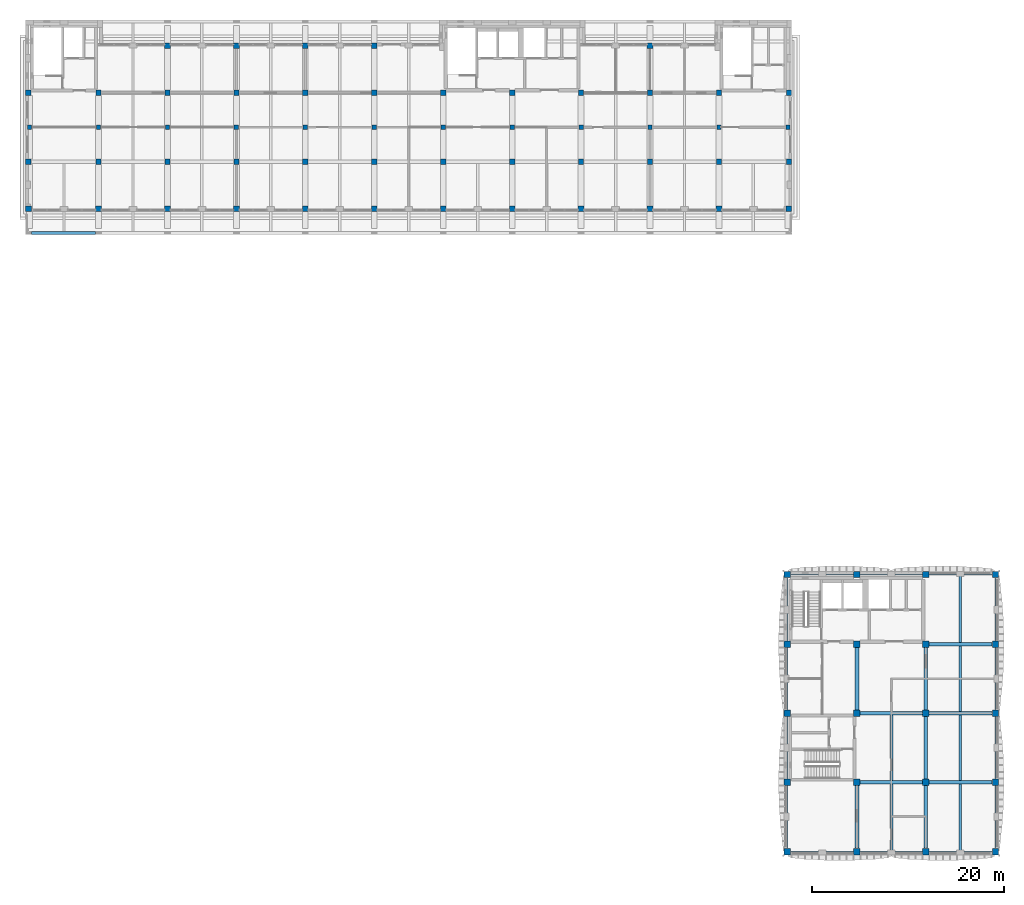
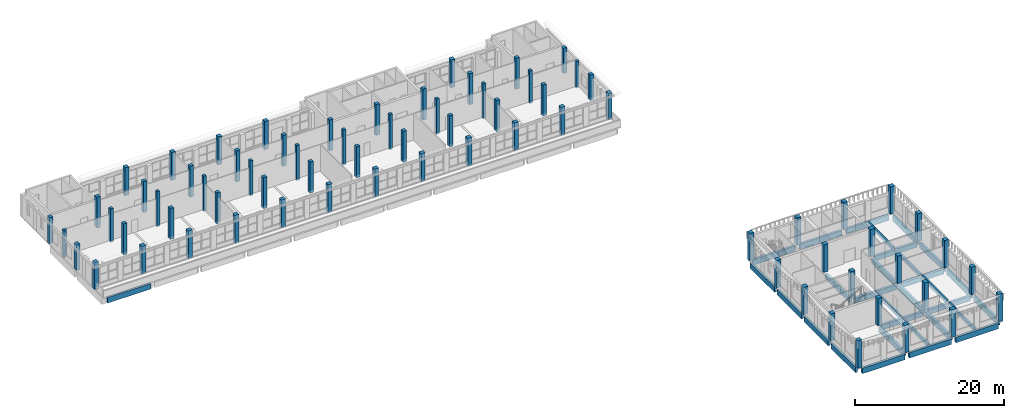
# One storey, part 1 of 30: 73 columns, 31 beams.
"""IFC4 building model written with IfcOpenShell, lengths in metres."""

import ifcopenshell
import ifcopenshell.guid

model = None  # the IFC model being written
_history = None  # IfcOwnerHistory: only IFC2X3 demands one
_inside = {}  # id of a spatial element -> (the spatial element, [elements in it])
_under = {}  # id of a project, library or spatial element -> (it, [spatial elements below it])
_declared = {}  # id of a project -> (the project, [libraries it declares])
_typed = {}  # id of a type object -> (the type object, [elements of that type])
_made_of = {}  # id of a material, layer set ... -> (it, [elements and type objects made of it])


def new_model(schema):
    """Start an empty IFC model of exactly this schema.

    Asked for "IFC4X3", IfcOpenShell would pick the latest addendum, in which some entities
    have other attributes; the version numbers below select the first issue.
    IFC2X3 requires an IfcOwnerHistory on every rooted entity: one is made here for all.
    """
    global model, _history
    if schema == "IFC4X3":
        model = ifcopenshell.file(schema_version=(4, 3, 0, 0))
    else:
        model = ifcopenshell.file(schema=schema)
    _inside.clear()
    _under.clear()
    _declared.clear()
    _typed.clear()
    _made_of.clear()
    _history = None
    if model.schema == "IFC2X3":
        org = make("IfcOrganization", Name="unknown")
        user = make(
            "IfcPersonAndOrganization",
            ThePerson=make("IfcPerson", FamilyName="unknown"),
            TheOrganization=org,
        )
        app = make(
            "IfcApplication",
            ApplicationDeveloper=org,
            Version="unknown",
            ApplicationFullName="unknown",
            ApplicationIdentifier="unknown",
        )
        _history = make(
            "IfcOwnerHistory",
            OwningUser=user,
            OwningApplication=app,
            ChangeAction="ADDED",
            CreationDate=0,
        )
    return model


def make(cls, **values):
    """One entity of the class cls with the attributes given. An attribute that is None is left unset."""
    return model.create_entity(
        cls, **{name: value for name, value in values.items() if value is not None}
    )


def rooted(cls, **values):
    """An entity with a GlobalId (a new one), such as an element, a storey or a relation."""
    return make(cls, GlobalId=ifcopenshell.guid.new(), OwnerHistory=_history, **values)


def si_unit(unit_type, name, prefix=None):
    """IfcSIUnit, for example si_unit("LENGTHUNIT", "METRE", prefix="MILLI")."""
    return make("IfcSIUnit", UnitType=unit_type, Prefix=prefix, Name=name)


def assignment(units):
    """IfcUnitAssignment: the units of a project."""
    return None if units is None else make("IfcUnitAssignment", Units=units)


def point(xyz):
    """IfcCartesianPoint."""
    return None if xyz is None else make("IfcCartesianPoint", Coordinates=xyz)


def direction(xyz):
    """IfcDirection."""
    return None if xyz is None else make("IfcDirection", DirectionRatios=xyz)


def frame(location, z_axis=None, x_axis=None):
    """IfcAxis2Placement3D, a coordinate frame: its origin and axes. An axis left out is left unset."""
    return make(
        "IfcAxis2Placement3D",
        Location=point(location),
        Axis=direction(z_axis),
        RefDirection=direction(x_axis),
    )


def frame_2d(location, x_axis=None):
    """IfcAxis2Placement2D, a coordinate frame in the plane: its origin and x axis."""
    return make(
        "IfcAxis2Placement2D", Location=point(location), RefDirection=direction(x_axis)
    )


def origin():
    """The frame at (0, 0, 0) with its axes left unset."""
    return frame((0.0, 0.0, 0.0))


def origin_2d():
    """The frame at (0, 0) in the plane with its x axis left unset."""
    return frame_2d((0.0, 0.0))


def place(relative_to, where):
    """IfcLocalPlacement: puts the frame where relative to a parent placement (None: the world)."""
    return make(
        "IfcLocalPlacement", PlacementRelTo=relative_to, RelativePlacement=where
    )


def context(
    kind, dimensions, precision=None, world=None, true_north=None, identifier=None
):
    """IfcGeometricRepresentationContext, for example the 3D "Model" context."""
    return make(
        "IfcGeometricRepresentationContext",
        ContextIdentifier=identifier,
        ContextType=kind,
        CoordinateSpaceDimension=dimensions,
        Precision=precision,
        WorldCoordinateSystem=world,
        TrueNorth=true_north,
    )


def subcontext(parent, identifier, kind, view, scale=None):
    """IfcGeometricRepresentationSubContext, for example "Body" below "Model"."""
    return make(
        "IfcGeometricRepresentationSubContext",
        ContextIdentifier=identifier,
        ContextType=kind,
        ParentContext=parent,
        TargetScale=scale,
        TargetView=view,
    )


def project(units=None, contexts=None):
    """IfcProject with its units and contexts."""
    return rooted(
        "IfcProject",
        Name="project",
        RepresentationContexts=contexts,
        UnitsInContext=assignment(units),
    )


def spatial(cls, under=None, at=None, **own):
    """A site, building, storey or space (cls), placed at a placement, below another one or the project."""
    s = rooted(cls, ObjectPlacement=at, **own)
    if under is not None:
        _under.setdefault(under.id(), (under, []))[1].append(s)
    return s


def profile(cls, at=None, kind="AREA", **sizes):
    """A parametric profile (cls). Its sizes go by their IFC names, for example OverallWidth=200.0."""
    return make(cls, ProfileType=kind, Position=at, **sizes)


def rectangle(**sizes):
    """IfcRectangleProfileDef."""
    return profile("IfcRectangleProfileDef", **sizes)


def extrude(swept, where, along, depth):
    """IfcExtrudedAreaSolid: the profile swept, set in the frame where, extruded along a direction by depth."""
    return make(
        "IfcExtrudedAreaSolid",
        SweptArea=swept,
        Position=where,
        ExtrudedDirection=direction(along),
        Depth=depth,
    )


def shape(context_of_items, identifier, shape_type, items):
    """IfcShapeRepresentation: the items that make up one representation, for example the "Body"."""
    return make(
        "IfcShapeRepresentation",
        ContextOfItems=context_of_items,
        RepresentationIdentifier=identifier,
        RepresentationType=shape_type,
        Items=items,
    )


def material(Name=None, Category=None):
    """IfcMaterial."""
    return make("IfcMaterial", Name=Name, Category=Category)


def material_profile(
    of_material, cross_section, Name=None, Category=None, Priority=None
):
    """IfcMaterialProfile: a cross section and its material."""
    return make(
        "IfcMaterialProfile",
        Name=Name,
        Material=of_material,
        Profile=cross_section,
        Priority=Priority,
        Category=Category,
    )


def profile_set(profiles, Name=None, composite=None):
    """IfcMaterialProfileSet."""
    return make(
        "IfcMaterialProfileSet",
        Name=Name,
        MaterialProfiles=profiles,
        CompositeProfile=composite,
    )


def made_of(thing, what):
    """Note that an element or type object is made of a material, layer set ...; save() writes the relation."""
    if what is not None:
        _made_of.setdefault(what.id(), (what, []))[1].append(thing)
    return thing


def type_object(cls, material=None, **own):
    """A type object (cls), such as IfcWallType, which elements share."""
    return made_of(rooted(cls, **own), material)


def element(
    cls,
    number,
    at=None,
    inside=None,
    cuts=None,
    type_object=None,
    material=None,
    context=None,
    identifier="Body",
    shape_type=None,
    held_by="IfcProductDefinitionShape",
    body=None,
    shapes=None,
    **own,
):
    """One element of the class cls, such as IfcWall. Its Tag is "e" and its number.

    at: its placement. inside: the storey or other place that contains it. cuts: it is an
    opening in that element (IfcRelVoidsElement). A single representation is given by context,
    identifier, shape_type and body (its items); several are given by shapes. held_by: the class
    of the entity that holds the representations. save() writes the other relations.
    """
    e = rooted(cls, Tag="e%d" % number, ObjectPlacement=at, **own)
    if body is not None:
        shapes = [shape(context, identifier, shape_type, body)]
    if shapes is not None:
        e.Representation = make(held_by, Representations=shapes)
    if inside is not None:
        _inside.setdefault(inside.id(), (inside, []))[1].append(e)
    if cuts is not None:
        rooted(
            "IfcRelVoidsElement", RelatingBuildingElement=cuts, RelatedOpeningElement=e
        )
    if type_object is not None:
        _typed.setdefault(type_object.id(), (type_object, []))[1].append(e)
    return made_of(e, material)


def aggregate(whole, parts):
    """IfcRelAggregates: a whole, such as a stair, and the parts it consists of."""
    return rooted("IfcRelAggregates", RelatingObject=whole, RelatedObjects=parts)


def save(model, path):
    """Write the relations noted so far, then the file.

    IfcRelAggregates (storeys below a building ...), IfcRelContainedInSpatialStructure (elements
    in a storey), IfcRelDefinesByType, IfcRelAssociatesMaterial and IfcRelDeclares: one each for
    every whole, place, type object, material and project.
    """
    for whole, parts in _under.values():
        aggregate(whole, parts)
    for where, things in _inside.values():
        rooted(
            "IfcRelContainedInSpatialStructure",
            RelatedElements=things,
            RelatingStructure=where,
        )
    for kind, things in _typed.values():
        rooted("IfcRelDefinesByType", RelatedObjects=things, RelatingType=kind)
    for what, things in _made_of.values():
        rooted("IfcRelAssociatesMaterial", RelatedObjects=things, RelatingMaterial=what)
    for by, libraries in _declared.values():
        rooted("IfcRelDeclares", RelatingContext=by, RelatedDefinitions=libraries)
    model.write(path)


model = new_model("IFC4")

# Units and contexts
model_context = context("Model", 3, precision=1e-05, world=origin(), true_north=direction((0.0, 1.0)))
body_context = subcontext(model_context, "Body", "Model", "MODEL_VIEW")
ifc_project = project(units=[si_unit("LENGTHUNIT", "METRE"), si_unit("AREAUNIT", "SQUARE_METRE"), si_unit("VOLUMEUNIT", "CUBIC_METRE"), si_unit("PLANEANGLEUNIT", "RADIAN"), si_unit("MASSUNIT", "GRAM", prefix="KILO")], contexts=[model_context])

# Site, building, storey
site_placement = place(None, origin())
site = spatial("IfcSite", under=ifc_project, at=site_placement, CompositionType="ELEMENT")
building_placement = place(site_placement, origin())
building = spatial("IfcBuilding", under=site, at=building_placement, Name="Ussher Court Research Institute", CompositionType="ELEMENT")
storey_placement = place(building_placement, frame((0.0, 0.0, 27.89990234375)))
storey = spatial("IfcBuildingStorey", under=building, at=storey_placement, Name="L06", CompositionType="ELEMENT", Elevation=27.89990234375)

# Columns
ifc_material_1 = material(Name="Concrete C35/45", Category="concrete")
ifc_material_profile_1 = material_profile(ifc_material_1, rectangle(XDim=0.449951171875, YDim=0.449951171875, at=origin_2d()), Name="RC 450x450")
ifc_profile_set_1 = profile_set([ifc_material_profile_1], Name="Concrete C35/45")
column_type_1 = type_object("IfcColumnType", Name="RC 450x450 column", PredefinedType="COLUMN", material=ifc_profile_set_1)
column_1_placement = place(storey_placement, frame((3.0, 79.60009765625, -0.199951171875), z_axis=(0.0, 0.0, 1.0), x_axis=(1.0, 0.0, 0.0)))
element("IfcColumn", 1, at=column_1_placement, inside=storey, type_object=column_type_1, Name="C45 V5 L06-01", PredefinedType="COLUMN", context=body_context, shape_type="SweptSolid", body=[
    extrude(rectangle(XDim=0.449951171875, YDim=0.449951171875, at=origin_2d()), origin(), (0.0, 0.0, 1.0), 4.464599609375),
])
column_2_placement = place(storey_placement, frame((10.199951171875, 79.60009765625, -0.199951171875), z_axis=(0.0, 0.0, 1.0), x_axis=(1.0, 0.0, 0.0)))
element("IfcColumn", 2, at=column_2_placement, inside=storey, type_object=column_type_1, Name="C45 V5 L06-02", PredefinedType="COLUMN", context=body_context, shape_type="SweptSolid", body=[
    extrude(rectangle(XDim=0.449951171875, YDim=0.449951171875, at=origin_2d()), origin(), (0.0, 0.0, 1.0), 5.4765625),
])
for number, where, z_axis, x_axis, name in (
    (3, (17.39990234375, 79.60009765625, -0.199951171875), (0.0, 0.0, 1.0), (1.0, 0.0, 0.0), "C45 V5 L06-03"),
    (4, (24.60009765625, 79.60009765625, -0.199951171875), (0.0, 0.0, 1.0), (1.0, 0.0, 0.0), "C45 V5 L06-04"),
    (5, (31.800048828125, 79.60009765625, -0.199951171875), (0.0, 0.0, 1.0), (1.0, 0.0, 0.0), "C45 V5 L06-05"),
    (6, (39.0, 79.60009765625, -0.199951171875), (0.0, 0.0, 1.0), (1.0, 0.0, 0.0), "C45 V5 L06-06"),
    (7, (46.199951171875, 79.60009765625, -0.199951171875), (0.0, 0.0, 1.0), (1.0, 0.0, 0.0), "C45 V5 L06-07"),
    (8, (53.39990234375, 79.60009765625, -0.199951171875), (0.0, 0.0, 1.0), (1.0, 0.0, 0.0), "C45 V5 L06-08"),
    (9, (60.60009765625, 79.60009765625, -0.199951171875), (0.0, 0.0, 1.0), (1.0, 0.0, 0.0), "C45 V5 L06-09"),
    (10, (67.800048828125, 79.60009765625, -0.199951171875), (0.0, 0.0, 1.0), (1.0, 0.0, 0.0), "C45 V5 L06-10"),
):
    element("IfcColumn", number, at=place(storey_placement, frame(where, z_axis=z_axis, x_axis=x_axis)), inside=storey, type_object=column_type_1, Name=name, PredefinedType="COLUMN", context=body_context, shape_type="SweptSolid", body=[
        extrude(rectangle(XDim=0.449951171875, YDim=0.449951171875, at=origin_2d()), origin(), (0.0, 0.0, 1.0), 5.771728515625),
    ])
column_3_placement = place(storey_placement, frame((75.0, 79.60009765625, -0.199951171875), z_axis=(0.0, 0.0, 1.0), x_axis=(1.0, 0.0, 0.0)))
element("IfcColumn", 11, at=column_3_placement, inside=storey, type_object=column_type_1, Name="C45 V5 L06-11", PredefinedType="COLUMN", context=body_context, shape_type="SweptSolid", body=[
    extrude(rectangle(XDim=0.449951171875, YDim=0.449951171875, at=origin_2d()), origin(), (0.0, 0.0, 1.0), 5.349853515625),
])
column_4_placement = place(storey_placement, frame((82.199951171875, 79.60009765625, -0.199951171875), z_axis=(0.0, 0.0, 1.0), x_axis=(1.0, 0.0, 0.0)))
element("IfcColumn", 12, at=column_4_placement, inside=storey, type_object=column_type_1, Name="C45 V5 L06-12", PredefinedType="COLUMN", context=body_context, shape_type="SweptSolid", body=[
    extrude(rectangle(XDim=0.449951171875, YDim=0.449951171875, at=origin_2d()), origin(), (0.0, 0.0, 1.0), 4.338134765625),
])
ifc_material_2 = material(Name="Concrete C35/45", Category="concrete")
ifc_material_profile_2 = material_profile(ifc_material_2, rectangle(XDim=0.550048828125, YDim=0.550048828125, at=origin_2d()), Name="RC 550x550")
ifc_profile_set_2 = profile_set([ifc_material_profile_2], Name="Concrete C35/45")
column_type_2 = type_object("IfcColumnType", Name="RC 550x550 column", PredefinedType="COLUMN", material=ifc_profile_set_2)
for number, where, z_axis, x_axis, name in (
    (13, (2.875, 76.0, 0.0), (0.0, 0.0, 1.0), (1.0, 0.0, 0.0), "C55 V5 L06-01"),
    (14, (2.875, 83.199951171875, 0.0), (0.0, 0.0, 1.0), (1.0, 0.0, 0.0), "C55 V5 L06-02"),
):
    element("IfcColumn", number, at=place(storey_placement, frame(where, z_axis=z_axis, x_axis=x_axis)), inside=storey, type_object=column_type_2, Name=name, PredefinedType="COLUMN", context=body_context, shape_type="SweptSolid", body=[
        extrude(rectangle(XDim=0.550048828125, YDim=0.550048828125, at=origin_2d()), origin(), (0.0, 0.0, 1.0), 4.2646484375),
    ])
for number, where, z_axis, x_axis, name in (
    (15, (10.199951171875, 76.0, 0.0), (0.0, 0.0, 1.0), (1.0, 0.0, 0.0), "C55 V5 L06-03"),
    (16, (10.199951171875, 83.199951171875, 0.0), (0.0, 0.0, 1.0), (1.0, 0.0, 0.0), "C55 V5 L06-04"),
    (17, (17.39990234375, 76.0, 0.0), (0.0, 0.0, 1.0), (1.0, 0.0, 0.0), "C55 V5 L06-05"),
    (18, (17.39990234375, 83.199951171875, 0.0), (0.0, 0.0, 1.0), (1.0, 0.0, 0.0), "C55 V5 L06-06"),
    (19, (24.60009765625, 76.0, 0.0), (0.0, 0.0, 1.0), (1.0, 0.0, 0.0), "C55 V5 L06-07"),
    (20, (24.60009765625, 83.199951171875, 0.0), (0.0, 0.0, 1.0), (1.0, 0.0, 0.0), "C55 V5 L06-08"),
    (21, (31.800048828125, 76.0, 0.0), (0.0, 0.0, 1.0), (1.0, 0.0, 0.0), "C55 V5 L06-09"),
    (22, (31.800048828125, 83.199951171875, 0.0), (0.0, 0.0, 1.0), (1.0, 0.0, 0.0), "C55 V5 L06-10"),
    (23, (39.0, 76.0, 0.0), (0.0, 0.0, 1.0), (1.0, 0.0, 0.0), "C55 V5 L06-11"),
    (24, (39.0, 83.199951171875, 0.0), (0.0, 0.0, 1.0), (1.0, 0.0, 0.0), "C55 V5 L06-12"),
    (25, (46.199951171875, 76.0, 0.0), (0.0, 0.0, 1.0), (1.0, 0.0, 0.0), "C55 V5 L06-13"),
    (26, (46.199951171875, 83.199951171875, 0.0), (0.0, 0.0, 1.0), (1.0, 0.0, 0.0), "C55 V5 L06-14"),
    (27, (53.39990234375, 76.0, 0.0), (0.0, 0.0, 1.0), (1.0, 0.0, 0.0), "C55 V5 L06-15"),
    (28, (53.39990234375, 83.199951171875, 0.0), (0.0, 0.0, 1.0), (1.0, 0.0, 0.0), "C55 V5 L06-16"),
    (29, (60.60009765625, 76.0, 0.0), (0.0, 0.0, 1.0), (1.0, 0.0, 0.0), "C55 V5 L06-17"),
    (30, (60.60009765625, 83.199951171875, 0.0), (0.0, 0.0, 1.0), (1.0, 0.0, 0.0), "C55 V5 L06-18"),
    (31, (67.800048828125, 76.0, 0.0), (0.0, 0.0, 1.0), (1.0, 0.0, 0.0), "C55 V5 L06-19"),
    (32, (67.800048828125, 83.199951171875, 0.0), (0.0, 0.0, 1.0), (1.0, 0.0, 0.0), "C55 V5 L06-20"),
    (33, (75.0, 76.0, 0.0), (0.0, 0.0, 1.0), (1.0, 0.0, 0.0), "C55 V5 L06-21"),
    (34, (75.0, 83.199951171875, 0.0), (0.0, 0.0, 1.0), (1.0, 0.0, 0.0), "C55 V5 L06-22"),
):
    element("IfcColumn", number, at=place(storey_placement, frame(where, z_axis=z_axis, x_axis=x_axis)), inside=storey, type_object=column_type_2, Name=name, PredefinedType="COLUMN", context=body_context, shape_type="SweptSolid", body=[
        extrude(rectangle(XDim=0.550048828125, YDim=0.550048828125, at=origin_2d()), origin(), (0.0, 0.0, 1.0), 5.06298828125),
    ])
for number, where, z_axis, x_axis, name in (
    (35, (82.324951171875, 76.0, 0.0), (0.0, 0.0, 1.0), (1.0, 0.0, 0.0), "C55 V5 L06-23"),
    (36, (82.324951171875, 83.199951171875, 0.0), (0.0, 0.0, 1.0), (1.0, 0.0, 0.0), "C55 V5 L06-24"),
):
    element("IfcColumn", number, at=place(storey_placement, frame(where, z_axis=z_axis, x_axis=x_axis)), inside=storey, type_object=column_type_2, Name=name, PredefinedType="COLUMN", context=body_context, shape_type="SweptSolid", body=[
        extrude(rectangle(XDim=0.550048828125, YDim=0.550048828125, at=origin_2d()), origin(), (0.0, 0.0, 1.0), 4.13818359375),
    ])
ifc_material_3 = material(Name="Concrete C35/45", Category="concrete")
ifc_material_profile_3 = material_profile(ifc_material_3, rectangle(XDim=0.60009765625, YDim=0.60009765625, at=origin_2d()), Name="RC 600x600")
ifc_profile_set_3 = profile_set([ifc_material_profile_3], Name="Concrete C35/45")
column_type_3 = type_object("IfcColumnType", Name="RC 600x600 column", PredefinedType="COLUMN", material=ifc_profile_set_3)
column_5_placement = place(storey_placement, frame((2.89990234375, 71.10009765625, -0.199951171875), z_axis=(0.0, 0.0, 1.0), x_axis=(1.0, 0.0, 0.0)))
element("IfcColumn", 37, at=column_5_placement, inside=storey, type_object=column_type_3, Name="C6 V5 L06-01", PredefinedType="COLUMN", context=body_context, shape_type="SweptSolid", body=[
    extrude(rectangle(XDim=0.60009765625, YDim=0.60009765625, at=origin_2d()), origin(), (0.0, 0.0, 1.0), 4.464599609375),
])
for number, where, z_axis, x_axis, name in (
    (38, (10.199951171875, 71.10009765625, -0.199951171875), (0.0, 0.0, 1.0), (1.0, 0.0, 0.0), "C6 V5 L06-02"),
    (39, (17.39990234375, 71.10009765625, -0.199951171875), (0.0, 0.0, 1.0), (1.0, 0.0, 0.0), "C6 V5 L06-03"),
    (40, (24.60009765625, 71.10009765625, -0.199951171875), (0.0, 0.0, 1.0), (1.0, 0.0, 0.0), "C6 V5 L06-04"),
    (41, (31.800048828125, 71.10009765625, -0.199951171875), (0.0, 0.0, 1.0), (1.0, 0.0, 0.0), "C6 V5 L06-05"),
    (42, (39.0, 71.10009765625, -0.199951171875), (0.0, 0.0, 1.0), (1.0, 0.0, 0.0), "C6 V5 L06-06"),
    (43, (46.199951171875, 71.10009765625, -0.199951171875), (0.0, 0.0, 1.0), (1.0, 0.0, 0.0), "C6 V5 L06-07"),
    (44, (53.39990234375, 71.10009765625, -0.199951171875), (0.0, 0.0, 1.0), (1.0, 0.0, 0.0), "C6 V5 L06-08"),
    (45, (60.60009765625, 71.10009765625, -0.199951171875), (0.0, 0.0, 1.0), (1.0, 0.0, 0.0), "C6 V5 L06-09"),
    (46, (67.800048828125, 71.10009765625, -0.199951171875), (0.0, 0.0, 1.0), (1.0, 0.0, 0.0), "C6 V5 L06-10"),
    (47, (75.0, 71.10009765625, -0.199951171875), (0.0, 0.0, 1.0), (1.0, 0.0, 0.0), "C6 V5 L06-11"),
):
    element("IfcColumn", number, at=place(storey_placement, frame(where, z_axis=z_axis, x_axis=x_axis)), inside=storey, type_object=column_type_3, Name=name, PredefinedType="COLUMN", context=body_context, shape_type="SweptSolid", body=[
        extrude(rectangle(XDim=0.60009765625, YDim=0.60009765625, at=origin_2d()), origin(), (0.0, 0.0, 1.0), 4.58837890625),
    ])
column_6_placement = place(storey_placement, frame((82.300048828125, 71.10009765625, -0.199951171875), z_axis=(0.0, 0.0, 1.0), x_axis=(1.0, 0.0, 0.0)))
element("IfcColumn", 48, at=column_6_placement, inside=storey, type_object=column_type_3, Name="C6 V5 L06-12", PredefinedType="COLUMN", context=body_context, shape_type="SweptSolid", body=[
    extrude(rectangle(XDim=0.60009765625, YDim=0.60009765625, at=origin_2d()), origin(), (0.0, 0.0, 1.0), 4.338134765625),
])
for number, where, z_axis, x_axis, name in (
    (49, (17.39990234375, 88.10009765625, -0.199951171875), (0.0, 0.0, 1.0), (1.0, 0.0, 0.0), "C6 V5 L06-13"),
    (50, (24.60009765625, 88.10009765625, -0.199951171875), (0.0, 0.0, 1.0), (1.0, 0.0, 0.0), "C6 V5 L06-14"),
    (51, (31.800048828125, 88.10009765625, -0.199951171875), (0.0, 0.0, 1.0), (1.0, 0.0, 0.0), "C6 V5 L06-15"),
    (52, (39.0, 88.10009765625, -0.199951171875), (0.0, 0.0, 1.0), (1.0, 0.0, 0.0), "C6 V5 L06-16"),
    (53, (67.800048828125, 88.10009765625, -0.199951171875), (0.0, 0.0, 1.0), (1.0, 0.0, 0.0), "C6 V5 L06-17"),
):
    element("IfcColumn", number, at=place(storey_placement, frame(where, z_axis=z_axis, x_axis=x_axis)), inside=storey, type_object=column_type_3, Name=name, PredefinedType="COLUMN", context=body_context, shape_type="SweptSolid", body=[
        extrude(rectangle(XDim=0.60009765625, YDim=0.60009765625, at=origin_2d()), origin(), (0.0, 0.0, 1.0), 4.58837890625),
    ])
ifc_material_4 = material(Name="Concrete C35/45", Category="concrete")
ifc_material_profile_4 = material_profile(ifc_material_4, rectangle(XDim=0.64990234375, YDim=0.64990234375, at=origin_2d()), Name="RC 650x650")
ifc_profile_set_4 = profile_set([ifc_material_profile_4], Name="Concrete C35/45")
column_type_4 = type_object("IfcColumnType", Name="RC 650x650 column", PredefinedType="COLUMN", material=ifc_profile_set_4)
for number, where, z_axis, x_axis, name in (
    (54, (82.125, 3.925048828125, 0.0), (0.0, 0.0, 1.0), (1.0, 0.0, 0.0), "C65 V4 L06-01"),
    (55, (82.125, 11.199951171875, 0.0), (0.0, 0.0, 1.0), (1.0, 0.0, 0.0), "C65 V4 L06-02"),
    (56, (82.125, 18.39990234375, 0.0), (0.0, 0.0, 1.0), (1.0, 0.0, 0.0), "C65 V4 L06-03"),
    (57, (82.125, 25.60009765625, 0.0), (0.0, 0.0, 1.0), (1.0, 0.0, 0.0), "C65 V4 L06-04"),
    (58, (82.125, 32.875, 0.0), (0.0, 0.0, 1.0), (1.0, 0.0, 0.0), "C65 V4 L06-05"),
    (59, (89.39990234375, 3.925048828125, 0.0), (0.0, 0.0, 1.0), (1.0, 0.0, 0.0), "C65 V4 L06-06"),
    (60, (89.39990234375, 11.199951171875, 0.0), (0.0, 0.0, 1.0), (1.0, 0.0, 0.0), "C65 V4 L06-07"),
    (61, (89.39990234375, 18.39990234375, 0.0), (0.0, 0.0, 1.0), (1.0, 0.0, 0.0), "C65 V4 L06-08"),
    (62, (89.39990234375, 25.60009765625, 0.0), (0.0, 0.0, 1.0), (1.0, 0.0, 0.0), "C65 V4 L06-09"),
    (63, (89.39990234375, 32.875, 0.0), (0.0, 0.0, 1.0), (1.0, 0.0, 0.0), "C65 V4 L06-10"),
    (64, (96.60009765625, 3.925048828125, 0.0), (0.0, 0.0, 1.0), (1.0, 0.0, 0.0), "C65 V4 L06-11"),
    (65, (96.60009765625, 11.199951171875, 0.0), (0.0, 0.0, 1.0), (1.0, 0.0, 0.0), "C65 V4 L06-12"),
    (66, (96.60009765625, 18.39990234375, 0.0), (0.0, 0.0, 1.0), (1.0, 0.0, 0.0), "C65 V4 L06-13"),
    (67, (96.60009765625, 25.60009765625, 0.0), (0.0, 0.0, 1.0), (1.0, 0.0, 0.0), "C65 V4 L06-14"),
    (68, (96.60009765625, 32.875, 0.0), (0.0, 0.0, 1.0), (1.0, 0.0, 0.0), "C65 V4 L06-15"),
    (69, (103.875, 3.925048828125, 0.0), (0.0, 0.0, 1.0), (1.0, 0.0, 0.0), "C65 V4 L06-16"),
    (70, (103.875, 11.199951171875, 0.0), (0.0, 0.0, 1.0), (1.0, 0.0, 0.0), "C65 V4 L06-17"),
    (71, (103.875, 18.39990234375, 0.0), (0.0, 0.0, 1.0), (1.0, 0.0, 0.0), "C65 V4 L06-18"),
    (72, (103.875, 25.60009765625, 0.0), (0.0, 0.0, 1.0), (1.0, 0.0, 0.0), "C65 V4 L06-19"),
    (73, (103.875, 32.875, 0.0), (0.0, 0.0, 1.0), (1.0, 0.0, 0.0), "C65 V4 L06-20"),
):
    element("IfcColumn", number, at=place(storey_placement, frame(where, z_axis=z_axis, x_axis=x_axis)), inside=storey, type_object=column_type_4, Name=name, PredefinedType="COLUMN", context=body_context, shape_type="SweptSolid", body=[
        extrude(rectangle(XDim=0.64990234375, YDim=0.64990234375, at=origin_2d()), origin(), (0.0, 0.0, 1.0), 4.5),
    ])

# Beams
ifc_material_5 = material(Name="Concrete C35/45", Category="concrete")
ifc_material_profile_5 = material_profile(ifc_material_5, rectangle(XDim=0.300048828125, YDim=0.60009765625, at=origin_2d()), Name="RC 300x600")
ifc_profile_set_5 = profile_set([ifc_material_profile_5], Name="Concrete C35/45")
beam_type_1 = type_object("IfcBeamType", Name="RC 300x600 beam", PredefinedType="BEAM", material=ifc_profile_set_5)
beam_1_placement = place(storey_placement, frame((93.0, 3.949951171875, -0.2998046875), z_axis=(0.0, 1.0, 0.0), x_axis=(-1.0, 0.0, 0.0)))
element("IfcBeam", 74, at=beam_1_placement, inside=storey, type_object=beam_type_1, Name="B3 V4 L06-01", PredefinedType="BEAM", context=body_context, shape_type="SweptSolid", body=[
    extrude(rectangle(XDim=0.300048828125, YDim=0.60009765625, at=origin_2d()), origin(), (0.0, 0.0, 1.0), 7.050048828125),
])
beam_2_placement = place(storey_placement, frame((93.0, 11.39990234375, -0.2998046875), z_axis=(0.0, 1.0, 0.0), x_axis=(-1.0, 0.0, 0.0)))
element("IfcBeam", 75, at=beam_2_placement, inside=storey, type_object=beam_type_1, Name="B3 V4 L06-02", PredefinedType="BEAM", context=body_context, shape_type="SweptSolid", body=[
    extrude(rectangle(XDim=0.300048828125, YDim=0.60009765625, at=origin_2d()), origin(), (0.0, 0.0, 1.0), 6.800048828125),
])
beam_3_placement = place(storey_placement, frame((100.199951171875, 3.949951171875, -0.2998046875), z_axis=(0.0, 1.0, 0.0), x_axis=(-1.0, 0.0, 0.0)))
element("IfcBeam", 76, at=beam_3_placement, inside=storey, type_object=beam_type_1, Name="B3 V4 L06-03", PredefinedType="BEAM", context=body_context, shape_type="SweptSolid", body=[
    extrude(rectangle(XDim=0.300048828125, YDim=0.60009765625, at=origin_2d()), origin(), (0.0, 0.0, 1.0), 7.050048828125),
])
beam_4_placement = place(storey_placement, frame((100.199951171875, 11.39990234375, -0.2998046875), z_axis=(0.0, 1.0, 0.0), x_axis=(-1.0, 0.0, 0.0)))
element("IfcBeam", 77, at=beam_4_placement, inside=storey, type_object=beam_type_1, Name="B3 V4 L06-04", PredefinedType="BEAM", context=body_context, shape_type="SweptSolid", body=[
    extrude(rectangle(XDim=0.300048828125, YDim=0.60009765625, at=origin_2d()), origin(), (0.0, 0.0, 1.0), 6.800048828125),
])
beam_5_placement = place(storey_placement, frame((100.199951171875, 18.60009765625, -0.2998046875), z_axis=(0.0, 1.0, 0.0), x_axis=(-1.0, 0.0, 0.0)))
element("IfcBeam", 78, at=beam_5_placement, inside=storey, type_object=beam_type_1, Name="B3 V4 L06-05", PredefinedType="BEAM", context=body_context, shape_type="SweptSolid", body=[
    extrude(rectangle(XDim=0.300048828125, YDim=0.60009765625, at=origin_2d()), origin(), (0.0, 0.0, 1.0), 6.7998046875),
])
beam_6_placement = place(storey_placement, frame((100.199951171875, 25.800048828125, -0.2998046875), z_axis=(0.0, 1.0, 0.0), x_axis=(-1.0, 0.0, 0.0)))
element("IfcBeam", 79, at=beam_6_placement, inside=storey, type_object=beam_type_1, Name="B3 V4 L06-06", PredefinedType="BEAM", context=body_context, shape_type="SweptSolid", body=[
    extrude(rectangle(XDim=0.300048828125, YDim=0.60009765625, at=origin_2d()), origin(), (0.0, 0.0, 1.0), 7.050048828125),
])
ifc_material_6 = material(Name="Concrete C35/45", Category="concrete")
ifc_material_profile_6 = material_profile(ifc_material_6, rectangle(XDim=0.300048828125, YDim=0.89990234375, at=origin_2d()), Name="RC 300x900")
ifc_profile_set_6 = profile_set([ifc_material_profile_6], Name="Concrete C35/45")
beam_type_2 = type_object("IfcBeamType", Name="RC 300x900 beam", PredefinedType="BEAM", material=ifc_profile_set_6)
beam_7_placement = place(storey_placement, frame((3.199951171875, 68.550048828125, -0.64990234375), z_axis=(1.0, 0.0, 0.0), x_axis=(0.0, 1.0, 0.0)))
element("IfcBeam", 80, at=beam_7_placement, inside=storey, type_object=beam_type_2, Name="SB2 V5 L06-01", PredefinedType="BEAM", context=body_context, shape_type="SweptSolid", body=[
    extrude(rectangle(XDim=0.300048828125, YDim=0.89990234375, at=origin_2d()), origin(), (0.0, 0.0, 1.0), 6.699951171875),
])
ifc_material_7 = material(Name="Concrete C35/45", Category="concrete")
ifc_material_profile_7 = material_profile(ifc_material_7, rectangle(XDim=0.35009765625, YDim=0.89990234375, at=origin_2d()), Name="RC 350x900")
ifc_profile_set_7 = profile_set([ifc_material_profile_7], Name="Concrete C35/45")
beam_type_3 = type_object("IfcBeamType", Name="RC 350x900 beam", PredefinedType="BEAM", material=ifc_profile_set_7)
beam_8_placement = place(storey_placement, frame((82.5, 3.77490234375, -0.64990234375), z_axis=(1.0, 0.0, 0.0), x_axis=(0.0, 1.0, 0.0)))
element("IfcBeam", 81, at=beam_8_placement, inside=storey, type_object=beam_type_3, Name="SB1 V4 L06-01", PredefinedType="BEAM", context=body_context, shape_type="SweptSolid", body=[
    extrude(rectangle(XDim=0.35009765625, YDim=0.89990234375, at=origin_2d()), origin(), (0.0, 0.0, 1.0), 6.550048828125),
])
beam_9_placement = place(storey_placement, frame((89.75, 3.77490234375, -0.64990234375), z_axis=(1.0, 0.0, 0.0), x_axis=(0.0, 1.0, 0.0)))
element("IfcBeam", 82, at=beam_9_placement, inside=storey, type_object=beam_type_3, Name="SB1 V4 L06-02", PredefinedType="BEAM", context=body_context, shape_type="SweptSolid", body=[
    extrude(rectangle(XDim=0.35009765625, YDim=0.89990234375, at=origin_2d()), origin(), (0.0, 0.0, 1.0), 6.5),
])
for number, where, z_axis, x_axis, name in (
    (83, (96.949951171875, 3.77490234375, -0.64990234375), (1.0, 0.0, 0.0), (0.0, 1.0, 0.0), "SB1 V4 L06-03"),
    (84, (82.5, 33.02490234375, -0.64990234375), (1.0, 0.0, 0.0), (0.0, 1.0, 0.0), "SB1 V4 L06-04"),
):
    element("IfcBeam", number, at=place(storey_placement, frame(where, z_axis=z_axis, x_axis=x_axis)), inside=storey, type_object=beam_type_3, Name=name, PredefinedType="BEAM", context=body_context, shape_type="SweptSolid", body=[
        extrude(rectangle(XDim=0.35009765625, YDim=0.89990234375, at=origin_2d()), origin(), (0.0, 0.0, 1.0), 6.550048828125),
    ])
beam_10_placement = place(storey_placement, frame((89.75, 33.02490234375, -0.64990234375), z_axis=(1.0, 0.0, 0.0), x_axis=(0.0, 1.0, 0.0)))
element("IfcBeam", 85, at=beam_10_placement, inside=storey, type_object=beam_type_3, Name="SB1 V4 L06-05", PredefinedType="BEAM", context=body_context, shape_type="SweptSolid", body=[
    extrude(rectangle(XDim=0.35009765625, YDim=0.89990234375, at=origin_2d()), origin(), (0.0, 0.0, 1.0), 6.5),
])
for number, where, z_axis, x_axis, name in (
    (86, (96.949951171875, 33.02490234375, -0.64990234375), (1.0, 0.0, 0.0), (0.0, 1.0, 0.0), "SB1 V4 L06-06"),
    (87, (81.97509765625, 4.300048828125, -0.64990234375), (0.0, 1.0, 0.0), (-1.0, 0.0, 0.0), "SB1 V4 L06-07"),
):
    element("IfcBeam", number, at=place(storey_placement, frame(where, z_axis=z_axis, x_axis=x_axis)), inside=storey, type_object=beam_type_3, Name=name, PredefinedType="BEAM", context=body_context, shape_type="SweptSolid", body=[
        extrude(rectangle(XDim=0.35009765625, YDim=0.89990234375, at=origin_2d()), origin(), (0.0, 0.0, 1.0), 6.550048828125),
    ])
for number, where, z_axis, x_axis, name in (
    (88, (81.97509765625, 11.550048828125, -0.64990234375), (0.0, 1.0, 0.0), (-1.0, 0.0, 0.0), "SB1 V4 L06-08"),
    (89, (81.97509765625, 18.75, -0.64990234375), (0.0, 1.0, 0.0), (-1.0, 0.0, 0.0), "SB1 V4 L06-09"),
):
    element("IfcBeam", number, at=place(storey_placement, frame(where, z_axis=z_axis, x_axis=x_axis)), inside=storey, type_object=beam_type_3, Name=name, PredefinedType="BEAM", context=body_context, shape_type="SweptSolid", body=[
        extrude(rectangle(XDim=0.35009765625, YDim=0.89990234375, at=origin_2d()), origin(), (0.0, 0.0, 1.0), 6.5),
    ])
for number, where, z_axis, x_axis, name in (
    (90, (81.97509765625, 25.949951171875, -0.64990234375), (0.0, 1.0, 0.0), (-1.0, 0.0, 0.0), "SB1 V4 L06-10"),
    (91, (104.02490234375, 4.300048828125, -0.64990234375), (0.0, 1.0, 0.0), (-1.0, 0.0, 0.0), "SB1 V4 L06-11"),
):
    element("IfcBeam", number, at=place(storey_placement, frame(where, z_axis=z_axis, x_axis=x_axis)), inside=storey, type_object=beam_type_3, Name=name, PredefinedType="BEAM", context=body_context, shape_type="SweptSolid", body=[
        extrude(rectangle(XDim=0.35009765625, YDim=0.89990234375, at=origin_2d()), origin(), (0.0, 0.0, 1.0), 6.550048828125),
    ])
for number, where, z_axis, x_axis, name in (
    (92, (104.02490234375, 11.550048828125, -0.64990234375), (0.0, 1.0, 0.0), (-1.0, 0.0, 0.0), "SB1 V4 L06-12"),
    (93, (104.02490234375, 18.75, -0.64990234375), (0.0, 1.0, 0.0), (-1.0, 0.0, 0.0), "SB1 V4 L06-13"),
):
    element("IfcBeam", number, at=place(storey_placement, frame(where, z_axis=z_axis, x_axis=x_axis)), inside=storey, type_object=beam_type_3, Name=name, PredefinedType="BEAM", context=body_context, shape_type="SweptSolid", body=[
        extrude(rectangle(XDim=0.35009765625, YDim=0.89990234375, at=origin_2d()), origin(), (0.0, 0.0, 1.0), 6.5),
    ])
beam_11_placement = place(storey_placement, frame((104.02490234375, 25.949951171875, -0.64990234375), z_axis=(0.0, 1.0, 0.0), x_axis=(-1.0, 0.0, 0.0)))
element("IfcBeam", 94, at=beam_11_placement, inside=storey, type_object=beam_type_3, Name="SB1 V4 L06-14", PredefinedType="BEAM", context=body_context, shape_type="SweptSolid", body=[
    extrude(rectangle(XDim=0.35009765625, YDim=0.89990234375, at=origin_2d()), origin(), (0.0, 0.0, 1.0), 6.550048828125),
])
ifc_material_8 = material(Name="Concrete C35/45", Category="concrete")
ifc_material_profile_8 = material_profile(ifc_material_8, rectangle(XDim=0.39990234375, YDim=0.800048828125, at=origin_2d()), Name="RC 400x800")
ifc_profile_set_8 = profile_set([ifc_material_profile_8], Name="Concrete C35/45")
beam_type_4 = type_object("IfcBeamType", Name="RC 400x800 beam", PredefinedType="BEAM", material=ifc_profile_set_8)
beam_12_placement = place(storey_placement, frame((89.75, 11.199951171875, -0.599853515625), z_axis=(1.0, 0.0, 0.0), x_axis=(0.0, 1.0, 0.0)))
element("IfcBeam", 95, at=beam_12_placement, inside=storey, type_object=beam_type_4, Name="B17 V4 L06-01", PredefinedType="BEAM", context=body_context, shape_type="SweptSolid", body=[
    extrude(rectangle(XDim=0.39990234375, YDim=0.800048828125, at=origin_2d()), origin(), (0.0, 0.0, 1.0), 6.5),
])
beam_13_placement = place(storey_placement, frame((96.949951171875, 11.199951171875, -0.599853515625), z_axis=(1.0, 0.0, 0.0), x_axis=(0.0, 1.0, 0.0)))
element("IfcBeam", 96, at=beam_13_placement, inside=storey, type_object=beam_type_4, Name="B17 V4 L06-02", PredefinedType="BEAM", context=body_context, shape_type="SweptSolid", body=[
    extrude(rectangle(XDim=0.39990234375, YDim=0.800048828125, at=origin_2d()), origin(), (0.0, 0.0, 1.0), 6.550048828125),
])
beam_14_placement = place(storey_placement, frame((89.75, 18.39990234375, -0.599853515625), z_axis=(1.0, 0.0, 0.0), x_axis=(0.0, 1.0, 0.0)))
element("IfcBeam", 97, at=beam_14_placement, inside=storey, type_object=beam_type_4, Name="B17 V4 L06-03", PredefinedType="BEAM", context=body_context, shape_type="SweptSolid", body=[
    extrude(rectangle(XDim=0.39990234375, YDim=0.800048828125, at=origin_2d()), origin(), (0.0, 0.0, 1.0), 6.5),
])
for number, where, z_axis, x_axis, name in (
    (98, (96.949951171875, 18.39990234375, -0.599853515625), (1.0, 0.0, 0.0), (0.0, 1.0, 0.0), "B17 V4 L06-04"),
    (99, (96.949951171875, 25.60009765625, -0.599853515625), (1.0, 0.0, 0.0), (0.0, 1.0, 0.0), "B17 V4 L06-05"),
    (100, (89.39990234375, 4.300048828125, -0.599853515625), (0.0, 1.0, 0.0), (-1.0, 0.0, 0.0), "B17 V4 L06-06"),
):
    element("IfcBeam", number, at=place(storey_placement, frame(where, z_axis=z_axis, x_axis=x_axis)), inside=storey, type_object=beam_type_4, Name=name, PredefinedType="BEAM", context=body_context, shape_type="SweptSolid", body=[
        extrude(rectangle(XDim=0.39990234375, YDim=0.800048828125, at=origin_2d()), origin(), (0.0, 0.0, 1.0), 6.550048828125),
    ])
beam_15_placement = place(storey_placement, frame((89.39990234375, 18.75, -0.599853515625), z_axis=(0.0, 1.0, 0.0), x_axis=(-1.0, 0.0, 0.0)))
element("IfcBeam", 101, at=beam_15_placement, inside=storey, type_object=beam_type_4, Name="B17 V4 L06-07", PredefinedType="BEAM", context=body_context, shape_type="SweptSolid", body=[
    extrude(rectangle(XDim=0.39990234375, YDim=0.800048828125, at=origin_2d()), origin(), (0.0, 0.0, 1.0), 6.5),
])
beam_16_placement = place(storey_placement, frame((96.60009765625, 4.300048828125, -0.599853515625), z_axis=(0.0, 1.0, 0.0), x_axis=(-1.0, 0.0, 0.0)))
element("IfcBeam", 102, at=beam_16_placement, inside=storey, type_object=beam_type_4, Name="B17 V4 L06-08", PredefinedType="BEAM", context=body_context, shape_type="SweptSolid", body=[
    extrude(rectangle(XDim=0.39990234375, YDim=0.800048828125, at=origin_2d()), origin(), (0.0, 0.0, 1.0), 6.550048828125),
])
for number, where, z_axis, x_axis, name in (
    (103, (96.60009765625, 11.550048828125, -0.599853515625), (0.0, 1.0, 0.0), (-1.0, 0.0, 0.0), "B17 V4 L06-09"),
    (104, (96.60009765625, 18.75, -0.599853515625), (0.0, 1.0, 0.0), (-1.0, 0.0, 0.0), "B17 V4 L06-10"),
):
    element("IfcBeam", number, at=place(storey_placement, frame(where, z_axis=z_axis, x_axis=x_axis)), inside=storey, type_object=beam_type_4, Name=name, PredefinedType="BEAM", context=body_context, shape_type="SweptSolid", body=[
        extrude(rectangle(XDim=0.39990234375, YDim=0.800048828125, at=origin_2d()), origin(), (0.0, 0.0, 1.0), 6.5),
    ])

save(model, "model.ifc")
